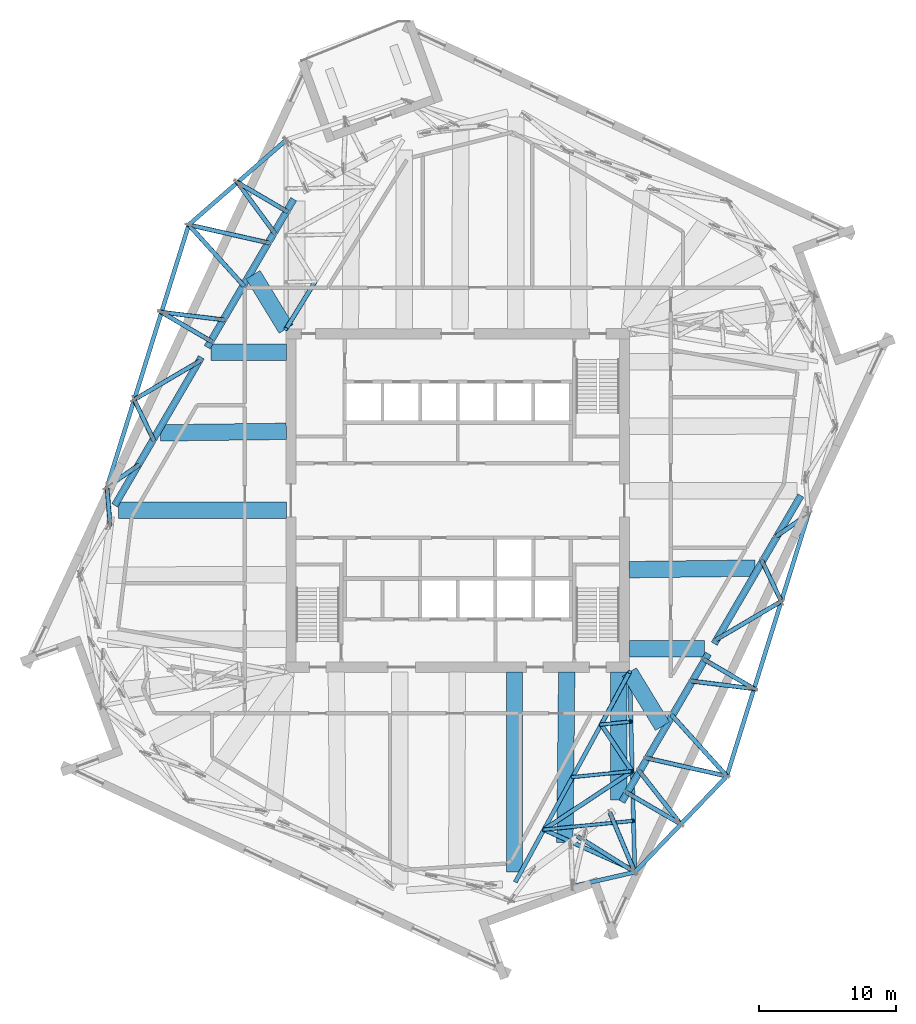
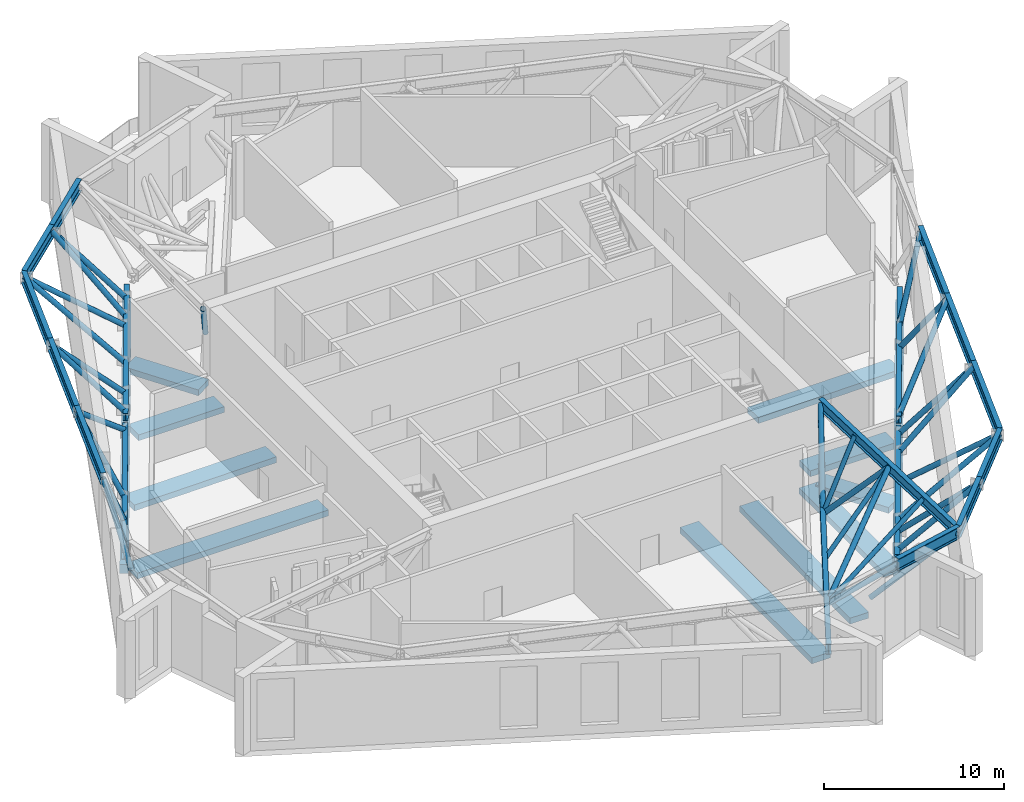
# One storey, part 2 of 15: 31 beams, 29 members.
"""IFC4 building model written with IfcOpenShell, lengths in metres."""

from ifc_helpers import new_model, si_unit, direction, frame, origin, origin_2d, place, context, subcontext, project, spatial, rectangle, hollow_circle, i_section, extrude, material, material_profile, profile_set, type_object, element, save


model = new_model("IFC4")

# Units and contexts
model_context = context("Model", 3, precision=1e-05, world=origin(), true_north=direction((0.0, 1.0)))
body_context = subcontext(model_context, "Body", "Model", "MODEL_VIEW")
ifc_project = project(units=[si_unit("LENGTHUNIT", "METRE"), si_unit("AREAUNIT", "SQUARE_METRE"), si_unit("VOLUMEUNIT", "CUBIC_METRE"), si_unit("PLANEANGLEUNIT", "RADIAN"), si_unit("MASSUNIT", "GRAM", prefix="KILO")], contexts=[model_context])

# Site, building, storey
site_placement = place(None, origin())
site = spatial("IfcSite", under=ifc_project, at=site_placement, CompositionType="ELEMENT")
building_placement = place(site_placement, origin())
building = spatial("IfcBuilding", under=site, at=building_placement, Name="Dilmun Exchange Tower", CompositionType="ELEMENT")
storey_placement = place(building_placement, frame((0.0, 0.0, 290.89990234375)))
storey = spatial("IfcBuildingStorey", under=building, at=storey_placement, Name="L69", CompositionType="ELEMENT", Elevation=290.89990234375)

# Beams
ifc_material_1 = material(Name="Concrete C40/50", Category="concrete")
ifc_material_profile_1 = material_profile(ifc_material_1, rectangle(XDim=1.199951171875, YDim=0.39990234375, at=origin_2d()), Name="1200 x 400")
ifc_profile_set_1 = profile_set([ifc_material_profile_1], Name="Concrete C40/50")
beam_type_1 = type_object("IfcBeamType", Name="RC band beam 1200 x 400 C40/50", PredefinedType="BEAM", material=ifc_profile_set_1)
beam_1_placement = place(storey_placement, frame((-18.023681640625, 10.824951171875, -0.659912109375), z_axis=(1.0, 0.0, 0.0), x_axis=(0.0, 1.0, 0.0)))
element("IfcBeam", 1, at=beam_1_placement, inside=storey, type_object=beam_type_1, Name="Band beam 3", PredefinedType="BEAM", context=body_context, shape_type="SweptSolid", body=[
    extrude(rectangle(XDim=1.199951171875, YDim=0.39990234375, at=origin_2d()), origin(), (0.0, 0.0, 1.0), 5.500732421875),
])
beam_2_placement = place(storey_placement, frame((-24.773681640625, -0.721923828125, -0.659912109375), z_axis=(1.0, 0.0, 0.0), x_axis=(0.0, 1.0, 0.0)))
element("IfcBeam", 2, at=beam_2_placement, inside=storey, type_object=beam_type_1, Name="Band beam 4", PredefinedType="BEAM", context=body_context, shape_type="SweptSolid", body=[
    extrude(rectangle(XDim=1.199951171875, YDim=0.39990234375, at=origin_2d()), origin(), (0.0, 0.0, 1.0), 12.250732421875),
])
beam_3_placement = place(storey_placement, frame((4.14111328125, -27.141357421875, -0.659912109375), z_axis=(0.0, 1.0, 0.0), x_axis=(-1.0, 0.0, 0.0)))
element("IfcBeam", 3, at=beam_3_placement, inside=storey, type_object=beam_type_1, Name="Band beam 9", PredefinedType="BEAM", context=body_context, shape_type="SweptSolid", body=[
    extrude(rectangle(XDim=1.199951171875, YDim=0.39990234375, at=origin_2d()), origin(), (0.0, 0.0, 1.0), 14.618408203125),
])
beam_4_placement = place(storey_placement, frame((11.76904296875, -21.877685546875, -0.659912109375), z_axis=(0.0, 1.0, 0.0), x_axis=(-1.0, 0.0, 0.0)))
element("IfcBeam", 4, at=beam_4_placement, inside=storey, type_object=beam_type_1, Name="Band beam 10", PredefinedType="BEAM", context=body_context, shape_type="SweptSolid", body=[
    extrude(rectangle(XDim=1.199951171875, YDim=0.39990234375, at=origin_2d()), origin(), (0.0, 0.0, 1.0), 9.354736328125),
])
beam_5_placement = place(storey_placement, frame((18.023681640625, -10.824951171875, -0.659912109375), z_axis=(-1.0, 0.0, 0.0), x_axis=(0.0, -1.0, 0.0)))
element("IfcBeam", 5, at=beam_5_placement, inside=storey, type_object=beam_type_1, Name="Band beam 11", PredefinedType="BEAM", context=body_context, shape_type="SweptSolid", body=[
    extrude(rectangle(XDim=1.199951171875, YDim=0.39990234375, at=origin_2d()), origin(), (0.0, 0.0, 1.0), 5.500732421875),
])
beam_6_placement = place(storey_placement, frame((-14.950927734375, 16.486083984375, -0.559814453125), z_axis=(0.520868546878, -0.853636899901, 0.0), x_axis=(0.853636899901, 0.520868546878, 0.0)))
element("IfcBeam", 6, at=beam_6_placement, inside=storey, type_object=beam_type_1, Name="Band beam 18", PredefinedType="BEAM", context=body_context, shape_type="SweptSolid", body=[
    extrude(rectangle(XDim=1.199951171875, YDim=0.39990234375, at=origin_2d()), origin(), (0.0, 0.0, 1.0), 4.637451171875),
])
beam_7_placement = place(storey_placement, frame((-21.700439453125, 4.93896484375, -0.559814453125), z_axis=(0.999924810861, 0.01226265164, 0.0), x_axis=(-0.01226265164, 0.999924810861, 0.0)))
element("IfcBeam", 7, at=beam_7_placement, inside=storey, type_object=beam_type_1, Name="Band beam 19", PredefinedType="BEAM", context=body_context, shape_type="SweptSolid", body=[
    extrude(rectangle(XDim=1.199951171875, YDim=0.39990234375, at=origin_2d()), origin(), (0.0, 0.0, 1.0), 9.17822265625),
])
beam_8_placement = place(storey_placement, frame((7.822998046875, -24.997802734375, -0.559814453125), z_axis=(0.010587112348, 0.999943954956, 0.0), x_axis=(-0.999943954956, 0.010587112348, 0.0)))
element("IfcBeam", 8, at=beam_8_placement, inside=storey, type_object=beam_type_1, Name="Band beam 25", PredefinedType="BEAM", context=body_context, shape_type="SweptSolid", body=[
    extrude(rectangle(XDim=1.199951171875, YDim=0.39990234375, at=origin_2d()), origin(), (0.0, 0.0, 1.0), 12.4755859375),
])
beam_9_placement = place(storey_placement, frame((14.950927734375, -16.486083984375, -0.559814453125), z_axis=(-0.520868546878, 0.853636899901, 0.0), x_axis=(-0.853636899901, -0.520868546878, 0.0)))
element("IfcBeam", 9, at=beam_9_placement, inside=storey, type_object=beam_type_1, Name="Band beam 26", PredefinedType="BEAM", context=body_context, shape_type="SweptSolid", body=[
    extrude(rectangle(XDim=1.199951171875, YDim=0.39990234375, at=origin_2d()), origin(), (0.0, 0.0, 1.0), 4.637451171875),
])
beam_10_placement = place(storey_placement, frame((21.700439453125, -4.93896484375, -0.559814453125), z_axis=(-0.999924810861, -0.01226265164, 0.0), x_axis=(0.01226265164, -0.999924810861, 0.0)))
element("IfcBeam", 10, at=beam_10_placement, inside=storey, type_object=beam_type_1, Name="Band beam 27", PredefinedType="BEAM", context=body_context, shape_type="SweptSolid", body=[
    extrude(rectangle(XDim=1.199951171875, YDim=0.39990234375, at=origin_2d()), origin(), (0.0, 0.0, 1.0), 9.17822265625),
])
ifc_material_profile_2 = material_profile(ifc_material_1, rectangle(XDim=0.5, YDim=0.60009765625, at=origin_2d()), Name="500 x 600")
ifc_profile_set_2 = profile_set([ifc_material_profile_2], Name="Concrete C40/50")
beam_type_2 = type_object("IfcBeamType", Name="RC ring beam 500 x 600 C40/50", PredefinedType="SPANDREL", material=ifc_profile_set_2)
beam_11_placement = place(storey_placement, frame((-11.982421875, 22.0068359375, -0.659912109375), z_axis=(-0.504603860956, -0.863350996703, 0.0), x_axis=(0.863350996703, -0.504603860956, 0.0)))
element("IfcBeam", 11, at=beam_11_placement, inside=storey, type_object=beam_type_2, Name="Ring beam 2", PredefinedType="SPANDREL", context=body_context, shape_type="SweptSolid", body=[
    extrude(rectangle(XDim=0.5, YDim=0.60009765625, at=origin_2d()), origin(), (0.0, 0.0, 1.0), 12.528564453125),
])
beam_12_placement = place(storey_placement, frame((-18.7314453125, 10.459716796875, -0.659912109375), z_axis=(-0.504670446374, -0.863312075994, 0.0), x_axis=(0.863312075994, -0.504670446374, 0.0)))
element("IfcBeam", 12, at=beam_12_placement, inside=storey, type_object=beam_type_2, Name="Ring beam 3", PredefinedType="SPANDREL", context=body_context, shape_type="SweptSolid", body=[
    extrude(rectangle(XDim=0.5, YDim=0.60009765625, at=origin_2d()), origin(), (0.0, 0.0, 1.0), 12.529052734375),
])
beam_13_placement = place(storey_placement, frame((11.982421875, -22.0068359375, -0.659912109375), z_axis=(0.504603860956, 0.863350996703, 0.0), x_axis=(-0.863350996703, 0.504603860956, 0.0)))
element("IfcBeam", 13, at=beam_13_placement, inside=storey, type_object=beam_type_2, Name="Ring beam 10", PredefinedType="SPANDREL", context=body_context, shape_type="SweptSolid", body=[
    extrude(rectangle(XDim=0.5, YDim=0.60009765625, at=origin_2d()), origin(), (0.0, 0.0, 1.0), 12.528564453125),
])
beam_14_placement = place(storey_placement, frame((18.7314453125, -10.459716796875, -0.659912109375), z_axis=(0.504670446374, 0.863312075994, 0.0), x_axis=(-0.863312075994, 0.504670446374, 0.0)))
element("IfcBeam", 14, at=beam_14_placement, inside=storey, type_object=beam_type_2, Name="Ring beam 11", PredefinedType="SPANDREL", context=body_context, shape_type="SweptSolid", body=[
    extrude(rectangle(XDim=0.5, YDim=0.60009765625, at=origin_2d()), origin(), (0.0, 0.0, 1.0), 12.529052734375),
])
ifc_material_2 = material(Name="Steel S355", Category="steel")
ifc_material_profile_3 = material_profile(ifc_material_2, i_section(OverallWidth=0.300048828125, OverallDepth=0.5, WebThickness=0.014404296875, FlangeThickness=0.028076171875, FilletRadius=0.027099609375, at=origin_2d()), Name="HEB 500")
ifc_profile_set_3 = profile_set([ifc_material_profile_3], Name="Steel S355")
beam_type_3 = type_object("IfcBeamType", Name="belt bottom chord HEB 500", PredefinedType="BEAM", material=ifc_profile_set_3)
beam_15_placement = place(storey_placement, frame((-11.982421875, 22.0068359375, 0.25), z_axis=(-0.504603860956, -0.863350996703, 0.0), x_axis=(0.863350996703, -0.504603860956, 0.0)))
element("IfcBeam", 15, at=beam_15_placement, inside=storey, type_object=beam_type_3, Name="Belt bottom chord 2", PredefinedType="BEAM", context=body_context, shape_type="SweptSolid", body=[
    extrude(i_section(OverallWidth=0.300048828125, OverallDepth=0.5, WebThickness=0.014404296875, FlangeThickness=0.028076171875, FilletRadius=0.027099609375, at=origin_2d()), origin(), (0.0, 0.0, 1.0), 12.528564453125),
])
beam_16_placement = place(storey_placement, frame((-18.7314453125, 10.459716796875, 0.25), z_axis=(-0.504670446374, -0.863312075994, 0.0), x_axis=(0.863312075994, -0.504670446374, 0.0)))
element("IfcBeam", 16, at=beam_16_placement, inside=storey, type_object=beam_type_3, Name="Belt bottom chord 3", PredefinedType="BEAM", context=body_context, shape_type="SweptSolid", body=[
    extrude(i_section(OverallWidth=0.300048828125, OverallDepth=0.5, WebThickness=0.014404296875, FlangeThickness=0.028076171875, FilletRadius=0.027099609375, at=origin_2d()), origin(), (0.0, 0.0, 1.0), 12.529052734375),
])
beam_17_placement = place(storey_placement, frame((11.982421875, -22.0068359375, 0.25), z_axis=(0.504603860956, 0.863350996703, 0.0), x_axis=(-0.863350996703, 0.504603860956, 0.0)))
element("IfcBeam", 17, at=beam_17_placement, inside=storey, type_object=beam_type_3, Name="Belt bottom chord 10", PredefinedType="BEAM", context=body_context, shape_type="SweptSolid", body=[
    extrude(i_section(OverallWidth=0.300048828125, OverallDepth=0.5, WebThickness=0.014404296875, FlangeThickness=0.028076171875, FilletRadius=0.027099609375, at=origin_2d()), origin(), (0.0, 0.0, 1.0), 12.528564453125),
])
beam_18_placement = place(storey_placement, frame((18.7314453125, -10.459716796875, 0.25), z_axis=(0.504670446374, 0.863312075994, 0.0), x_axis=(-0.863312075994, 0.504670446374, 0.0)))
element("IfcBeam", 18, at=beam_18_placement, inside=storey, type_object=beam_type_3, Name="Belt bottom chord 11", PredefinedType="BEAM", context=body_context, shape_type="SweptSolid", body=[
    extrude(i_section(OverallWidth=0.300048828125, OverallDepth=0.5, WebThickness=0.014404296875, FlangeThickness=0.028076171875, FilletRadius=0.027099609375, at=origin_2d()), origin(), (0.0, 0.0, 1.0), 12.529052734375),
])
ifc_material_profile_4 = material_profile(ifc_material_2, i_section(OverallWidth=0.300048828125, OverallDepth=0.699951171875, WebThickness=0.01708984375, FlangeThickness=0.031982421875, FilletRadius=0.027099609375, at=origin_2d()), Name="HEB 700")
ifc_profile_set_4 = profile_set([ifc_material_profile_4], Name="Steel S355")
beam_type_4 = type_object("IfcBeamType", Name="outrigger chord HEB 700", PredefinedType="BEAM", material=ifc_profile_set_4)
beam_19_placement = place(storey_placement, frame((12.56298828125, -12.5263671875, 0.35009765625), z_axis=(-0.478457699844, -0.878110602066, 0.0), x_axis=(0.878110602066, -0.478457699844, 0.0)))
element("IfcBeam", 19, at=beam_19_placement, inside=storey, type_object=beam_type_4, Name="Outrigger bottom chord 3", PredefinedType="BEAM", context=body_context, shape_type="SweptSolid", body=[
    extrude(i_section(OverallWidth=0.300048828125, OverallDepth=0.699951171875, WebThickness=0.01708984375, FlangeThickness=0.031982421875, FilletRadius=0.027099609375, at=origin_2d()), origin(), (0.0, 0.0, 1.0), 17.479248046875),
])
beam_20_placement = place(storey_placement, frame((12.54931640625, -12.52294921875, 4.800048828125), z_axis=(0.025960461794, -0.999662970417, 0.0), x_axis=(0.999662970417, 0.025960461794, 0.0)))
element("IfcBeam", 20, at=beam_20_placement, inside=storey, type_object=beam_type_4, Name="Outrigger top chord 3", PredefinedType="BEAM", context=body_context, shape_type="SweptSolid", body=[
    extrude(i_section(OverallWidth=0.300048828125, OverallDepth=0.699951171875, WebThickness=0.01708984375, FlangeThickness=0.031982421875, FilletRadius=0.027099609375, at=origin_2d()), origin(), (0.0, 0.0, 1.0), 14.50146484375),
])

# Members
ifc_material_profile_5 = material_profile(ifc_material_2, hollow_circle(Radius=0.136474609375, WallThickness=0.01611328125, at=origin_2d()), Name="CHS 273x16")
ifc_profile_set_5 = profile_set([ifc_material_profile_5], Name="Steel S355")
member_type_1 = type_object("IfcMemberType", Name="outrigger post CHS 273x16", PredefinedType="POST", material=ifc_profile_set_5)
member_1_placement = place(storey_placement, frame((12.643310546875, -16.147216796875, 4.800048828125), z_axis=(-0.438076705437, -0.043645109751, -0.897877444058), x_axis=(0.099138117922, -0.995073682485, 0.0)))
element("IfcMember", 21, at=member_1_placement, inside=storey, type_object=member_type_1, Name="Outrigger post 3.1", PredefinedType="POST", context=body_context, shape_type="SweptSolid", body=[
    extrude(hollow_circle(Radius=0.136474609375, WallThickness=0.01611328125, at=origin_2d()), origin(), (0.0, 0.0, 1.0), 4.9560546875),
])
member_2_placement = place(storey_placement, frame((12.737548828125, -19.771240234375, 4.800048828125), z_axis=(-0.697881793995, -0.068798636756, -0.712900939256), x_axis=(0.098106509233, -0.995175920552, 0.0)))
element("IfcMember", 22, at=member_2_placement, inside=storey, type_object=member_type_1, Name="Outrigger post 3.2", PredefinedType="POST", context=body_context, shape_type="SweptSolid", body=[
    extrude(hollow_circle(Radius=0.136474609375, WallThickness=0.01611328125, at=origin_2d()), origin(), (0.0, 0.0, 1.0), 6.241943359375),
])
member_3_placement = place(storey_placement, frame((12.831787109375, -23.3955078125, 4.800048828125), z_axis=(-0.824103360964, -0.080924717004, -0.560628968771), x_axis=(0.097727243124, -0.995213236423, 0.0)))
element("IfcMember", 23, at=member_3_placement, inside=storey, type_object=member_type_1, Name="Outrigger post 3.3", PredefinedType="POST", context=body_context, shape_type="SweptSolid", body=[
    extrude(hollow_circle(Radius=0.136474609375, WallThickness=0.01611328125, at=origin_2d()), origin(), (0.0, 0.0, 1.0), 7.9375),
])

# Beams
ifc_material_profile_6 = material_profile(ifc_material_2, i_section(OverallWidth=0.302978515625, OverallDepth=0.81396484375, WebThickness=0.02099609375, FlangeThickness=0.0400390625, FilletRadius=0.030029296875, at=origin_2d()), Name="HEM 800")
ifc_profile_set_6 = profile_set([ifc_material_profile_6], Name="Steel S355")
beam_type_5 = type_object("IfcBeamType", Name="transfer chord HEM 800", PredefinedType="BEAM", material=ifc_profile_set_6)
for number, where, z_axis, x_axis, name in (
    (24, (-12.537109375, 26.322021484375, 4.843017578125), (-0.754399223881, -0.656415882659, 0.0), (0.656415882659, -0.754399223881, 0.0), "Transfer chord 1"),
    (25, (-16.093505859375, 23.2275390625, 4.843017578125), (-0.754399223881, -0.656415882659, 0.0), (0.656415882659, -0.754399223881, 0.0), "Transfer chord 2"),
):
    element("IfcBeam", number, at=place(storey_placement, frame(where, z_axis=z_axis, x_axis=x_axis)), inside=storey, type_object=beam_type_5, Name=name, PredefinedType="BEAM", context=body_context, shape_type="SweptSolid", body=[
        extrude(i_section(OverallWidth=0.302978515625, OverallDepth=0.81396484375, WebThickness=0.02099609375, FlangeThickness=0.0400390625, FilletRadius=0.030029296875, at=origin_2d()), origin(), (0.0, 0.0, 1.0), 4.714111328125),
    ])
for number, where, z_axis, x_axis, name in (
    (26, (-19.64990234375, 20.133056640625, 4.843017578125), (-0.29748294297, -0.954727133082, 0.0), (0.954727133082, -0.29748294297, 0.0), "Transfer chord 3"),
    (27, (-21.639404296875, 13.748046875, 4.843017578125), (-0.29748294297, -0.954727133082, 0.0), (0.954727133082, -0.29748294297, 0.0), "Transfer chord 4"),
):
    element("IfcBeam", number, at=place(storey_placement, frame(where, z_axis=z_axis, x_axis=x_axis)), inside=storey, type_object=beam_type_5, Name=name, PredefinedType="BEAM", context=body_context, shape_type="SweptSolid", body=[
        extrude(i_section(OverallWidth=0.302978515625, OverallDepth=0.81396484375, WebThickness=0.02099609375, FlangeThickness=0.0400390625, FilletRadius=0.030029296875, at=origin_2d()), origin(), (0.0, 0.0, 1.0), 6.687744140625),
    ])
beam_21_placement = place(storey_placement, frame((-23.62890625, 7.363037109375, 4.843017578125), z_axis=(-0.297503680541, -0.954720671225, 0.0), x_axis=(0.954720671225, -0.297503680541, 0.0)))
element("IfcBeam", 28, at=beam_21_placement, inside=storey, type_object=beam_type_5, Name="Transfer chord 5", PredefinedType="BEAM", context=body_context, shape_type="SweptSolid", body=[
    extrude(i_section(OverallWidth=0.302978515625, OverallDepth=0.81396484375, WebThickness=0.02099609375, FlangeThickness=0.0400390625, FilletRadius=0.030029296875, at=origin_2d()), origin(), (0.0, 0.0, 1.0), 6.687255859375),
])
beam_22_placement = place(storey_placement, frame((8.392578125, -28.181884765625, 4.843017578125), z_axis=(0.974813879293, 0.223019955916, 0.0), x_axis=(-0.223019955916, 0.974813879293, 0.0)))
element("IfcBeam", 29, at=beam_22_placement, inside=storey, type_object=beam_type_5, Name="Transfer chord 16", PredefinedType="BEAM", context=body_context, shape_type="SweptSolid", body=[
    extrude(i_section(OverallWidth=0.302978515625, OverallDepth=0.81396484375, WebThickness=0.02099609375, FlangeThickness=0.0400390625, FilletRadius=0.030029296875, at=origin_2d()), origin(), (0.0, 0.0, 1.0), 4.653564453125),
])
beam_23_placement = place(storey_placement, frame((12.928955078125, -27.14404296875, 4.843017578125), z_axis=(0.692017822395, 0.721880414949, 0.0), x_axis=(-0.721880414949, 0.692017822395, 0.0)))
element("IfcBeam", 30, at=beam_23_placement, inside=storey, type_object=beam_type_5, Name="Transfer chord 17", PredefinedType="BEAM", context=body_context, shape_type="SweptSolid", body=[
    extrude(i_section(OverallWidth=0.302978515625, OverallDepth=0.81396484375, WebThickness=0.02099609375, FlangeThickness=0.0400390625, FilletRadius=0.030029296875, at=origin_2d()), origin(), (0.0, 0.0, 1.0), 4.856201171875),
])
beam_24_placement = place(storey_placement, frame((16.28955078125, -23.638427734375, 4.843017578125), z_axis=(0.692016738556, 0.721881453951, 0.0), x_axis=(-0.721881453951, 0.692016738556, 0.0)))
element("IfcBeam", 31, at=beam_24_placement, inside=storey, type_object=beam_type_5, Name="Transfer chord 18", PredefinedType="BEAM", context=body_context, shape_type="SweptSolid", body=[
    extrude(i_section(OverallWidth=0.302978515625, OverallDepth=0.81396484375, WebThickness=0.02099609375, FlangeThickness=0.0400390625, FilletRadius=0.030029296875, at=origin_2d()), origin(), (0.0, 0.0, 1.0), 4.85595703125),
])
for number, where, z_axis, x_axis, name in (
    (32, (19.64990234375, -20.133056640625, 4.843017578125), (0.29748294297, 0.954727133082, 0.0), (-0.954727133082, 0.29748294297, 0.0), "Transfer chord 19"),
    (33, (21.639404296875, -13.748046875, 4.843017578125), (0.29748294297, 0.954727133082, 0.0), (-0.954727133082, 0.29748294297, 0.0), "Transfer chord 20"),
):
    element("IfcBeam", number, at=place(storey_placement, frame(where, z_axis=z_axis, x_axis=x_axis)), inside=storey, type_object=beam_type_5, Name=name, PredefinedType="BEAM", context=body_context, shape_type="SweptSolid", body=[
        extrude(i_section(OverallWidth=0.302978515625, OverallDepth=0.81396484375, WebThickness=0.02099609375, FlangeThickness=0.0400390625, FilletRadius=0.030029296875, at=origin_2d()), origin(), (0.0, 0.0, 1.0), 6.687744140625),
    ])
beam_25_placement = place(storey_placement, frame((23.62890625, -7.363037109375, 4.843017578125), z_axis=(0.297503680541, 0.954720671225, 0.0), x_axis=(-0.954720671225, 0.297503680541, 0.0)))
element("IfcBeam", 34, at=beam_25_placement, inside=storey, type_object=beam_type_5, Name="Transfer chord 21", PredefinedType="BEAM", context=body_context, shape_type="SweptSolid", body=[
    extrude(i_section(OverallWidth=0.302978515625, OverallDepth=0.81396484375, WebThickness=0.02099609375, FlangeThickness=0.0400390625, FilletRadius=0.030029296875, at=origin_2d()), origin(), (0.0, 0.0, 1.0), 6.687255859375),
])

# Members
ifc_material_profile_7 = material_profile(ifc_material_2, hollow_circle(Radius=0.161865234375, WallThickness=0.01611328125, at=origin_2d()), Name="CHS 323.9x16")
ifc_profile_set_7 = profile_set([ifc_material_profile_7], Name="Steel S355")
member_type_2 = type_object("IfcMemberType", Name="truss diagonal CHS 323.9x16", PredefinedType="BRACE", material=ifc_profile_set_7)
member_4_placement = place(storey_placement, frame((-16.093505859375, 23.2275390625, 4.843017578125), z_axis=(0.579959522393, -0.338982383616, -0.740768449642), x_axis=(0.504617952617, 0.863342760378, 0.0)))
element("IfcMember", 35, at=member_4_placement, inside=storey, type_object=member_type_2, Name="Truss diagonal 3", PredefinedType="BRACE", context=body_context, shape_type="SweptSolid", body=[
    extrude(hollow_circle(Radius=0.161865234375, WallThickness=0.01611328125, at=origin_2d()), origin(), (0.0, 0.0, 1.0), 6.200439453125),
])
member_5_placement = place(storey_placement, frame((-16.093505859375, 23.2275390625, 4.843017578125), z_axis=(0.416295089585, -0.566227874598, -0.711396086871), x_axis=(0.80568424333, 0.592345254095, 0.0)))
element("IfcMember", 36, at=member_5_placement, inside=storey, type_object=member_type_2, Name="Truss diagonal 4", PredefinedType="BRACE", context=body_context, shape_type="SweptSolid", body=[
    extrude(hollow_circle(Radius=0.161865234375, WallThickness=0.01611328125, at=origin_2d()), origin(), (0.0, 0.0, 1.0), 6.456298828125),
])
member_6_placement = place(storey_placement, frame((-19.64990234375, 20.133056640625, 4.843017578125), z_axis=(0.530736469273, -0.587495560634, -0.6108745914), x_axis=(0.742042754199, 0.670352557198, 0.0)))
element("IfcMember", 37, at=member_6_placement, inside=storey, type_object=member_type_2, Name="Truss diagonal 5", PredefinedType="BRACE", context=body_context, shape_type="SweptSolid", body=[
    extrude(hollow_circle(Radius=0.161865234375, WallThickness=0.01611328125, at=origin_2d()), origin(), (0.0, 0.0, 1.0), 7.518798828125),
])
member_7_placement = place(storey_placement, frame((-19.64990234375, 20.133056640625, 4.843017578125), z_axis=(0.772331057371, -0.174143849514, -0.610883505668), x_axis=(0.219956222646, 0.975509743734, 0.0)))
element("IfcMember", 38, at=member_7_placement, inside=storey, type_object=member_type_2, Name="Truss diagonal 6", PredefinedType="BRACE", context=body_context, shape_type="SweptSolid", body=[
    extrude(hollow_circle(Radius=0.161865234375, WallThickness=0.01611328125, at=origin_2d()), origin(), (0.0, 0.0, 1.0), 7.5185546875),
])
member_8_placement = place(storey_placement, frame((-21.639404296875, 13.748046875, 4.843017578125), z_axis=(0.58032605743, -0.33919912444, -0.740382077745), x_axis=(0.504620728752, 0.86334113774, 0.0)))
element("IfcMember", 39, at=member_8_placement, inside=storey, type_object=member_type_2, Name="Truss diagonal 7", PredefinedType="BRACE", context=body_context, shape_type="SweptSolid", body=[
    extrude(hollow_circle(Radius=0.161865234375, WallThickness=0.01611328125, at=origin_2d()), origin(), (0.0, 0.0, 1.0), 6.20361328125),
])
member_9_placement = place(storey_placement, frame((-21.639404296875, 13.748046875, 4.843017578125), z_axis=(0.697947879231, -0.085193031506, -0.711063221704), x_axis=(0.121162892102, 0.992632637776, 0.0)))
element("IfcMember", 40, at=member_9_placement, inside=storey, type_object=member_type_2, Name="Truss diagonal 8", PredefinedType="BRACE", context=body_context, shape_type="SweptSolid", body=[
    extrude(hollow_circle(Radius=0.161865234375, WallThickness=0.01611328125, at=origin_2d()), origin(), (0.0, 0.0, 1.0), 6.45947265625),
])
member_10_placement = place(storey_placement, frame((-23.62890625, 7.363037109375, 4.843017578125), z_axis=(0.65957716273, 0.388302493343, -0.64356751011), x_axis=(-0.507326751284, 0.861753774249, 0.0)))
element("IfcMember", 41, at=member_10_placement, inside=storey, type_object=member_type_2, Name="Truss diagonal 9", PredefinedType="BRACE", context=body_context, shape_type="SweptSolid", body=[
    extrude(hollow_circle(Radius=0.161865234375, WallThickness=0.01611328125, at=origin_2d()), origin(), (0.0, 0.0, 1.0), 7.13671875),
])
member_11_placement = place(storey_placement, frame((-23.62890625, 7.363037109375, 4.843017578125), z_axis=(0.248362606259, -0.517015705946, -0.819152473974), x_axis=(0.901390340191, 0.433007453297, 0.0)))
element("IfcMember", 42, at=member_11_placement, inside=storey, type_object=member_type_2, Name="Truss diagonal 10", PredefinedType="BRACE", context=body_context, shape_type="SweptSolid", body=[
    extrude(hollow_circle(Radius=0.161865234375, WallThickness=0.01611328125, at=origin_2d()), origin(), (0.0, 0.0, 1.0), 5.60693359375),
])
member_12_placement = place(storey_placement, frame((-25.618408203125, 0.978515625, 4.843017578125), z_axis=(0.041459258445, -0.513456969973, -0.85711321882), x_axis=(0.996755949259, 0.08048339963, 0.0)))
element("IfcMember", 43, at=member_12_placement, inside=storey, type_object=member_type_2, Name="Truss diagonal 11", PredefinedType="BRACE", context=body_context, shape_type="SweptSolid", body=[
    extrude(hollow_circle(Radius=0.161865234375, WallThickness=0.01611328125, at=origin_2d()), origin(), (0.0, 0.0, 1.0), 5.358642578125),
])
member_13_placement = place(storey_placement, frame((-25.618408203125, 0.978515625, 4.843017578125), z_axis=(0.422597526184, 0.293566724132, -0.857455485343), x_axis=(-0.570521958733, 0.821282347675, 0.0)))
element("IfcMember", 44, at=member_13_placement, inside=storey, type_object=member_type_2, Name="Truss diagonal 12", PredefinedType="BRACE", context=body_context, shape_type="SweptSolid", body=[
    extrude(hollow_circle(Radius=0.161865234375, WallThickness=0.01611328125, at=origin_2d()), origin(), (0.0, 0.0, 1.0), 5.3564453125),
])
member_14_placement = place(storey_placement, frame((12.928955078125, -27.14404296875, 4.843017578125), z_axis=(-0.275735238412, 0.656787832803, -0.701854558281), x_axis=(-0.922040060797, -0.387094466876, 0.0)))
element("IfcMember", 45, at=member_14_placement, inside=storey, type_object=member_type_2, Name="Truss diagonal 33", PredefinedType="BRACE", context=body_context, shape_type="SweptSolid", body=[
    extrude(hollow_circle(Radius=0.161865234375, WallThickness=0.01611328125, at=origin_2d()), origin(), (0.0, 0.0, 1.0), 6.544189453125),
])
member_15_placement = place(storey_placement, frame((12.928955078125, -27.14404296875, 4.843017578125), z_axis=(-0.617304337153, 0.385719537113, -0.685679075094), x_axis=(-0.529904420126, -0.848057371603, 0.0)))
element("IfcMember", 46, at=member_15_placement, inside=storey, type_object=member_type_2, Name="Truss diagonal 34", PredefinedType="BRACE", context=body_context, shape_type="SweptSolid", body=[
    extrude(hollow_circle(Radius=0.161865234375, WallThickness=0.01611328125, at=origin_2d()), origin(), (0.0, 0.0, 1.0), 6.698486328125),
])
member_16_placement = place(storey_placement, frame((16.28955078125, -23.638427734375, 4.843017578125), z_axis=(-0.607048541075, 0.354795134492, -0.711064329945), x_axis=(-0.504596119653, -0.863355521226, 0.0)))
element("IfcMember", 47, at=member_16_placement, inside=storey, type_object=member_type_2, Name="Truss diagonal 35", PredefinedType="BRACE", context=body_context, shape_type="SweptSolid", body=[
    extrude(hollow_circle(Radius=0.161865234375, WallThickness=0.01611328125, at=origin_2d()), origin(), (0.0, 0.0, 1.0), 6.45947265625),
])
member_17_placement = place(storey_placement, frame((16.28955078125, -23.638427734375, 4.843017578125), z_axis=(-0.449317638533, 0.573543534545, -0.684953628857), x_axis=(-0.787200155083, -0.616697588642, 0.0)))
element("IfcMember", 48, at=member_17_placement, inside=storey, type_object=member_type_2, Name="Truss diagonal 36", PredefinedType="BRACE", context=body_context, shape_type="SweptSolid", body=[
    extrude(hollow_circle(Radius=0.161865234375, WallThickness=0.01611328125, at=origin_2d()), origin(), (0.0, 0.0, 1.0), 6.70556640625),
])
member_18_placement = place(storey_placement, frame((19.64990234375, -20.133056640625, 4.843017578125), z_axis=(-0.530736469273, 0.587495560634, -0.6108745914), x_axis=(-0.742042754199, -0.670352557198, 0.0)))
element("IfcMember", 49, at=member_18_placement, inside=storey, type_object=member_type_2, Name="Truss diagonal 37", PredefinedType="BRACE", context=body_context, shape_type="SweptSolid", body=[
    extrude(hollow_circle(Radius=0.161865234375, WallThickness=0.01611328125, at=origin_2d()), origin(), (0.0, 0.0, 1.0), 7.518798828125),
])
member_19_placement = place(storey_placement, frame((19.64990234375, -20.133056640625, 4.843017578125), z_axis=(-0.772331057371, 0.174143849514, -0.610883505668), x_axis=(-0.219956222646, -0.975509743734, 0.0)))
element("IfcMember", 50, at=member_19_placement, inside=storey, type_object=member_type_2, Name="Truss diagonal 38", PredefinedType="BRACE", context=body_context, shape_type="SweptSolid", body=[
    extrude(hollow_circle(Radius=0.161865234375, WallThickness=0.01611328125, at=origin_2d()), origin(), (0.0, 0.0, 1.0), 7.5185546875),
])
member_20_placement = place(storey_placement, frame((21.639404296875, -13.748046875, 4.843017578125), z_axis=(-0.58032605743, 0.33919912444, -0.740382077745), x_axis=(-0.504620728752, -0.86334113774, 0.0)))
element("IfcMember", 51, at=member_20_placement, inside=storey, type_object=member_type_2, Name="Truss diagonal 39", PredefinedType="BRACE", context=body_context, shape_type="SweptSolid", body=[
    extrude(hollow_circle(Radius=0.161865234375, WallThickness=0.01611328125, at=origin_2d()), origin(), (0.0, 0.0, 1.0), 6.20361328125),
])
member_21_placement = place(storey_placement, frame((21.639404296875, -13.748046875, 4.843017578125), z_axis=(-0.697947879231, 0.085193031506, -0.711063221704), x_axis=(-0.121162892102, -0.992632637776, 0.0)))
element("IfcMember", 52, at=member_21_placement, inside=storey, type_object=member_type_2, Name="Truss diagonal 40", PredefinedType="BRACE", context=body_context, shape_type="SweptSolid", body=[
    extrude(hollow_circle(Radius=0.161865234375, WallThickness=0.01611328125, at=origin_2d()), origin(), (0.0, 0.0, 1.0), 6.45947265625),
])
member_22_placement = place(storey_placement, frame((23.62890625, -7.363037109375, 4.843017578125), z_axis=(-0.65957716273, -0.388302493343, -0.64356751011), x_axis=(0.507326751284, -0.861753774249, 0.0)))
element("IfcMember", 53, at=member_22_placement, inside=storey, type_object=member_type_2, Name="Truss diagonal 41", PredefinedType="BRACE", context=body_context, shape_type="SweptSolid", body=[
    extrude(hollow_circle(Radius=0.161865234375, WallThickness=0.01611328125, at=origin_2d()), origin(), (0.0, 0.0, 1.0), 7.13671875),
])
member_23_placement = place(storey_placement, frame((23.62890625, -7.363037109375, 4.843017578125), z_axis=(-0.248362606259, 0.517015705946, -0.819152473974), x_axis=(-0.901390340191, -0.433007453297, 0.0)))
element("IfcMember", 54, at=member_23_placement, inside=storey, type_object=member_type_2, Name="Truss diagonal 42", PredefinedType="BRACE", context=body_context, shape_type="SweptSolid", body=[
    extrude(hollow_circle(Radius=0.161865234375, WallThickness=0.01611328125, at=origin_2d()), origin(), (0.0, 0.0, 1.0), 5.60693359375),
])
member_24_placement = place(storey_placement, frame((25.618408203125, -0.978515625, 4.843017578125), z_axis=(-0.422597526184, -0.293566724132, -0.857455485343), x_axis=(0.570521958733, -0.821282347675, 0.0)))
element("IfcMember", 55, at=member_24_placement, inside=storey, type_object=member_type_2, Name="Truss diagonal 44", PredefinedType="BRACE", context=body_context, shape_type="SweptSolid", body=[
    extrude(hollow_circle(Radius=0.161865234375, WallThickness=0.01611328125, at=origin_2d()), origin(), (0.0, 0.0, 1.0), 5.3564453125),
])
member_25_placement = place(storey_placement, frame((-12.550048828125, 12.52294921875, 4.800048828125), z_axis=(0.353730004054, 0.574183357474, -0.738368848362), x_axis=(-0.851402475565, 0.524512940358, 0.0)))
element("IfcMember", 56, at=member_25_placement, inside=storey, type_object=member_type_2, Name="Outrigger diagonal 1.0", PredefinedType="BRACE", context=body_context, shape_type="SweptSolid", body=[
    extrude(hollow_circle(Radius=0.161865234375, WallThickness=0.01611328125, at=origin_2d()), origin(), (0.0, 0.0, 1.0), 6.026611328125),
])
member_26_placement = place(storey_placement, frame((12.54931640625, -12.52294921875, 4.800048828125), z_axis=(-0.333180100254, -0.616038570416, -0.713783931281), x_axis=(0.879595228905, -0.475722853443, 0.0)))
element("IfcMember", 57, at=member_26_placement, inside=storey, type_object=member_type_2, Name="Outrigger diagonal 3.0", PredefinedType="BRACE", context=body_context, shape_type="SweptSolid", body=[
    extrude(hollow_circle(Radius=0.161865234375, WallThickness=0.01611328125, at=origin_2d()), origin(), (0.0, 0.0, 1.0), 6.234375),
])
member_27_placement = place(storey_placement, frame((12.737548828125, -19.771240234375, 4.800048828125), z_axis=(-0.374729699764, 0.563689745587, -0.736092061385), x_axis=(-0.832774717059, -0.553612021751, 0.0)))
element("IfcMember", 58, at=member_27_placement, inside=storey, type_object=member_type_2, Name="Outrigger diagonal 3.1", PredefinedType="BRACE", context=body_context, shape_type="SweptSolid", body=[
    extrude(hollow_circle(Radius=0.161865234375, WallThickness=0.01611328125, at=origin_2d()), origin(), (0.0, 0.0, 1.0), 6.04541015625),
])
member_28_placement = place(storey_placement, frame((12.737548828125, -19.771240234375, 4.800048828125), z_axis=(-0.722743722694, -0.478307619109, -0.498862037851), x_axis=(0.551884017992, -0.833920877953, 0.0)))
element("IfcMember", 59, at=member_28_placement, inside=storey, type_object=member_type_2, Name="Outrigger diagonal 3.2", PredefinedType="BRACE", context=body_context, shape_type="SweptSolid", body=[
    extrude(hollow_circle(Radius=0.161865234375, WallThickness=0.01611328125, at=origin_2d()), origin(), (0.0, 0.0, 1.0), 8.920166015625),
])
member_29_placement = place(storey_placement, frame((12.92578125, -27.01953125, 4.800048828125), z_axis=(-0.77809603754, 0.349653650249, -0.521832234758), x_axis=(-0.409887363151, -0.912136146378, 0.0)))
element("IfcMember", 60, at=member_29_placement, inside=storey, type_object=member_type_2, Name="Outrigger diagonal 3.3", PredefinedType="BRACE", context=body_context, shape_type="SweptSolid", body=[
    extrude(hollow_circle(Radius=0.161865234375, WallThickness=0.01611328125, at=origin_2d()), origin(), (0.0, 0.0, 1.0), 8.527587890625),
])

save(model, "model.ifc")
